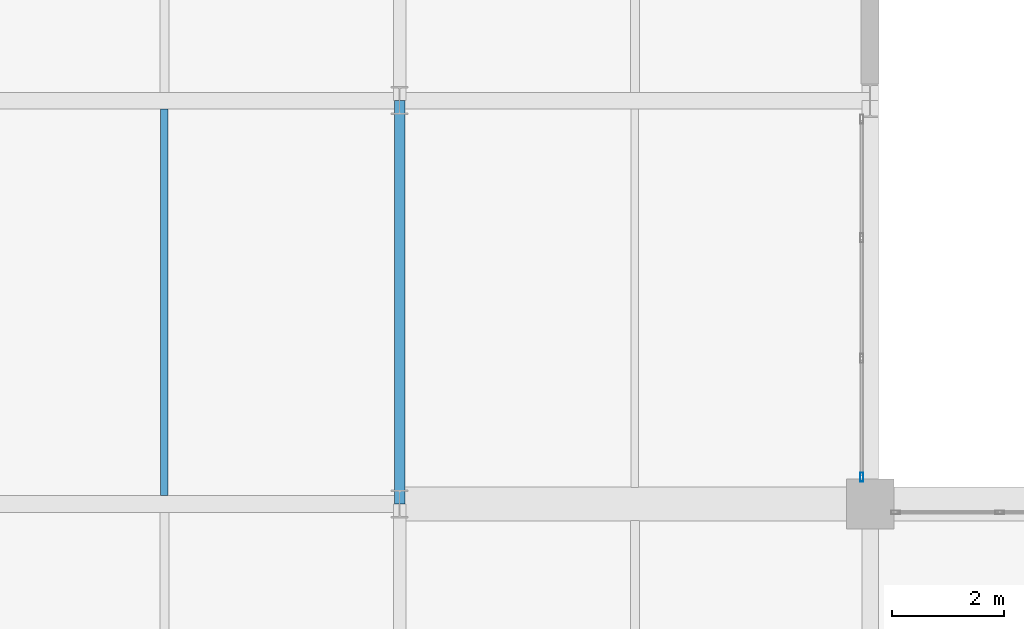
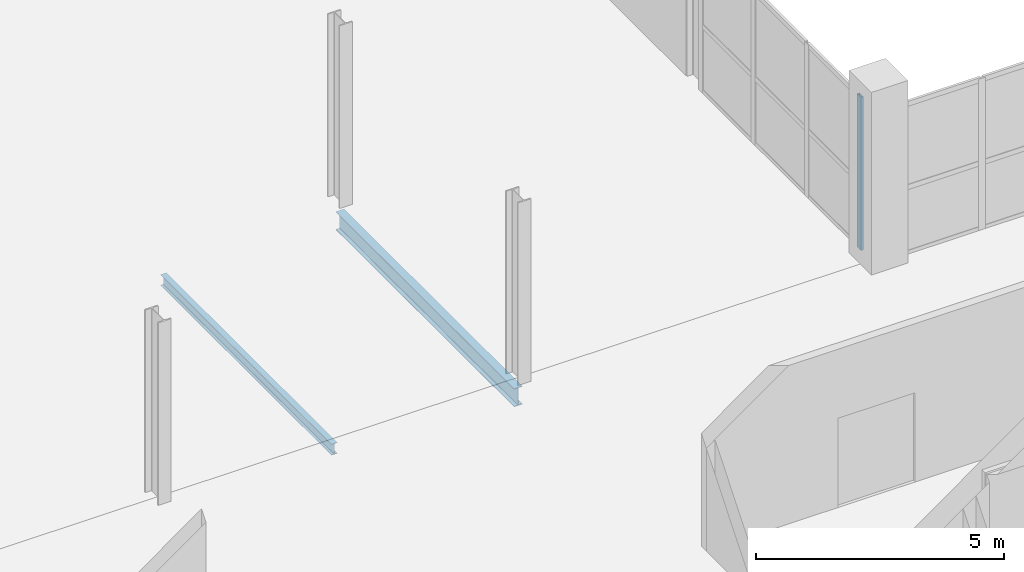
# One storey, part 36 of 109: 2 beams, 1 member, 1 element without a shape of its own.
"""IFC4 building model written with IfcOpenShell, lengths in metres."""

from ifc_helpers import new_model, si_unit, direction, frame, origin, origin_2d, place, context, subcontext, project, spatial, hollow_rectangle, i_section, extrude, material, material_profile, profile_set, type_object, element, aggregate, save


model = new_model("IFC4")

# Units and contexts
model_context = context("Model", 3, precision=1e-05, world=origin(), true_north=direction((0.0, 1.0)))
body_context = subcontext(model_context, "Body", "Model", "MODEL_VIEW")
ifc_project = project(units=[si_unit("LENGTHUNIT", "METRE"), si_unit("AREAUNIT", "SQUARE_METRE"), si_unit("VOLUMEUNIT", "CUBIC_METRE"), si_unit("PLANEANGLEUNIT", "RADIAN"), si_unit("MASSUNIT", "GRAM", prefix="KILO")], contexts=[model_context])

# Site, building, storey
site_placement = place(None, origin())
site = spatial("IfcSite", under=ifc_project, at=site_placement, CompositionType="ELEMENT")
building_placement = place(site_placement, origin())
building = spatial("IfcBuilding", under=site, at=building_placement, Name="Veltarok Museum of Natural Sciences", CompositionType="ELEMENT")
storey_placement = place(building_placement, frame((0.0, 0.0, 17.39990234375)))
storey = spatial("IfcBuildingStorey", under=building, at=storey_placement, Name="L03", CompositionType="ELEMENT", Elevation=17.39990234375)

# Curtain wall, member
ifc_material_1 = material(Name="Low-iron triple insulated glass", Category="glass")
curtain_wall_type = type_object("IfcCurtainWallType", Name="Curtain Wall System CW-V2E-L03-2-645x378 (CW-V2E L03 645x378cm)", PredefinedType="NOTDEFINED", material=ifc_material_1)
curtain_wall_placement = place(storey_placement, origin())
curtain_wall = element("IfcCurtainWall", 1, at=curtain_wall_placement, inside=storey, type_object=curtain_wall_type, Name="Curtain Wall CW-V2E-L03-2-645x378 CW-0134", PredefinedType="NOTDEFINED")
ifc_material_2 = material(Name="Thermally broken anodised aluminium", Category="aluminium")
ifc_material_profile_1 = material_profile(ifc_material_2, hollow_rectangle(XDim=0.06005859375, YDim=0.159912109375, WallThickness=0.0048828125, at=origin_2d()), Name="CW MULLION 60x160x5")
ifc_profile_set_1 = profile_set([ifc_material_profile_1], Name="Thermally broken anodised aluminium")
member_type = type_object("IfcMemberType", Name="Curtain Wall Vertical Mullion 60x160x5", PredefinedType="MULLION", material=ifc_profile_set_1)
member_placement = place(storey_placement, frame((98.64990234375, 19.679931640625, -0.001953125), z_axis=(0.0, 0.0, 1.0), x_axis=(-1.0, 0.0, 0.0)))
member = element("IfcMember", 2, at=member_placement, type_object=member_type, Name="CW-V2E-L03-2-645x378 mullion 1", PredefinedType="MULLION", context=body_context, shape_type="SweptSolid", body=[
    extrude(hollow_rectangle(XDim=0.06005859375, YDim=0.159912109375, WallThickness=0.0048828125, at=origin_2d()), origin(), (0.0, 0.0, 1.0), 3.781982421875),
])
aggregate(curtain_wall, [member])

# Beams
ifc_material_3 = material(Name="Steel S355J2", Category="steel")
ifc_material_profile_2 = material_profile(ifc_material_3, i_section(OverallWidth=0.18994140625, OverallDepth=0.449951171875, WebThickness=0.009521484375, FlangeThickness=0.0146484375, FilletRadius=0.02099609375, at=origin_2d()), Name="IPE 450")
ifc_profile_set_2 = profile_set([ifc_material_profile_2], Name="Steel S355J2")
beam_type_1 = type_object("IfcBeamType", Name="Laboratory Floor Girder IPE 450", PredefinedType="BEAM", material=ifc_profile_set_2)
beam_1_placement = place(storey_placement, frame((90.39990234375, 19.199951171875, -0.474853515625), z_axis=(0.0, 1.0, 0.0), x_axis=(-1.0, 0.0, 0.0)))
element("IfcBeam", 3, at=beam_1_placement, inside=storey, type_object=beam_type_1, Name="Beam BM-G05 L03 11/C-D", PredefinedType="BEAM", context=body_context, shape_type="SweptSolid", body=[
    extrude(i_section(OverallWidth=0.18994140625, OverallDepth=0.449951171875, WebThickness=0.009521484375, FlangeThickness=0.0146484375, FilletRadius=0.02099609375, at=origin_2d()), origin(), (0.0, 0.0, 1.0), 7.199951171875),
])
ifc_material_profile_3 = material_profile(ifc_material_3, i_section(OverallWidth=0.135009765625, OverallDepth=0.27001953125, WebThickness=0.006591796875, FlangeThickness=0.01025390625, FilletRadius=0.014892578125, at=origin_2d()), Name="IPE 270")
ifc_profile_set_3 = profile_set([ifc_material_profile_3], Name="Steel S355J2")
beam_type_2 = type_object("IfcBeamType", Name="Short-Bay Composite Joist IPE 270", PredefinedType="JOIST", material=ifc_profile_set_3)
beam_2_placement = place(storey_placement, frame((86.199951171875, 19.347900390625, -0.385009765625), z_axis=(0.0, 1.0, 0.0), x_axis=(-1.0, 0.0, 0.0)))
element("IfcBeam", 4, at=beam_2_placement, inside=storey, type_object=beam_type_2, Name="Secondary Joist BM-J04 L03 10-11/C-D.1", PredefinedType="JOIST", context=body_context, shape_type="SweptSolid", body=[
    extrude(i_section(OverallWidth=0.135009765625, OverallDepth=0.27001953125, WebThickness=0.006591796875, FlangeThickness=0.01025390625, FilletRadius=0.014892578125, at=origin_2d()), origin(), (0.0, 0.0, 1.0), 6.904052734375),
])

save(model, "model.ifc")
